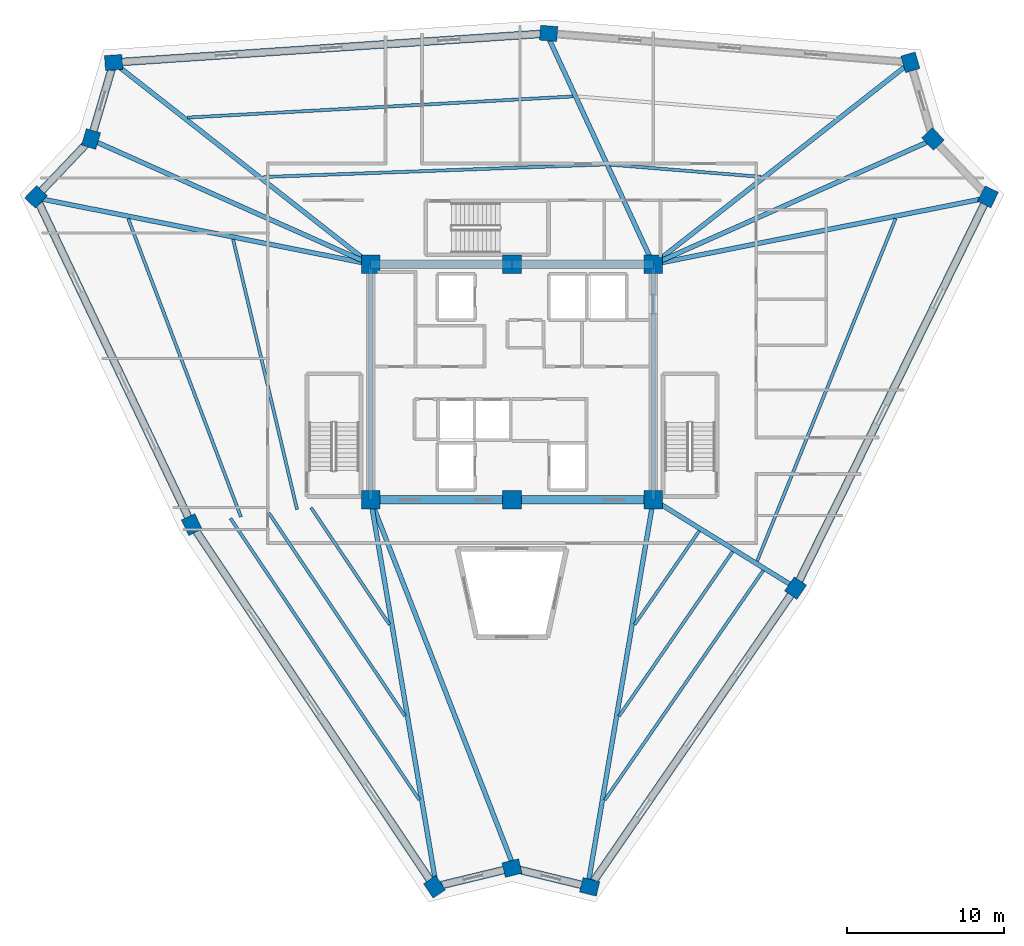
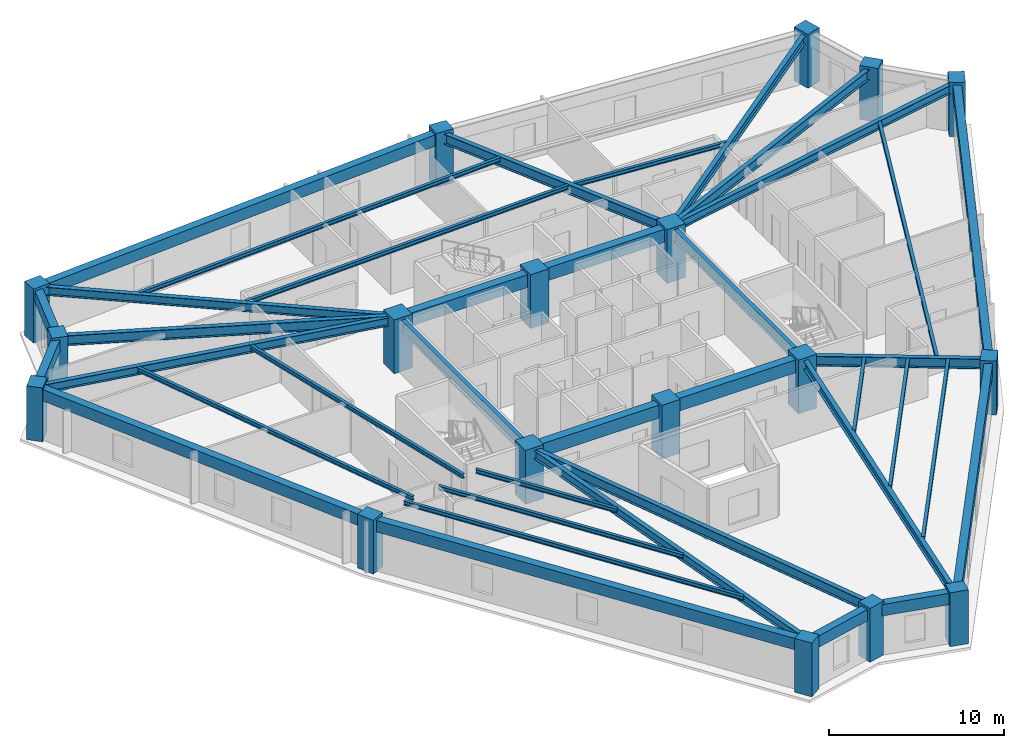
# One storey, part 1 of 8: 38 beams, 18 columns.
"""IFC4 building model written with IfcOpenShell, lengths in metres."""

from ifc_helpers import new_model, si_unit, direction, frame, origin, origin_2d, place, context, subcontext, project, spatial, rectangle, i_section, extrude, source, transform, mapped, material, material_profile, profile_set, type_object, element, save


model = new_model("IFC4")

# Units and contexts
model_context = context("Model", 3, precision=1e-05, world=origin(), true_north=direction((0.0, 1.0)))
body_context = subcontext(model_context, "Body", "Model", "MODEL_VIEW")
ifc_project = project(units=[si_unit("LENGTHUNIT", "METRE"), si_unit("AREAUNIT", "SQUARE_METRE"), si_unit("VOLUMEUNIT", "CUBIC_METRE"), si_unit("PLANEANGLEUNIT", "RADIAN"), si_unit("MASSUNIT", "GRAM", prefix="KILO")], contexts=[model_context])

# Site, building, storey
site_placement = place(None, origin())
site = spatial("IfcSite", under=ifc_project, at=site_placement, CompositionType="ELEMENT")
building_placement = place(site_placement, origin())
building = spatial("IfcBuilding", under=site, at=building_placement, Name="Liaohun Quay Tower", CompositionType="ELEMENT")
storey_placement = place(building_placement, frame((0.0, 0.0, 305.25)))
storey = spatial("IfcBuildingStorey", under=building, at=storey_placement, Name="L79", CompositionType="ELEMENT", Elevation=305.25)

# Columns
ifc_material_1 = material(Name="Concrete C50", Category="concrete")
ifc_material_profile_1 = material_profile(ifc_material_1, rectangle(XDim=1.199951171875, YDim=1.199951171875, at=origin_2d()), Name="RC1200x1200")
ifc_profile_set_1 = profile_set([ifc_material_profile_1], Name="Concrete C50")
column_type_1 = type_object("IfcColumnType", Name="COL-CC-Z4", PredefinedType="COLUMN", material=ifc_profile_set_1)
shared_shape_1 = source(origin(), body_context, "Body", "SweptSolid", [
    extrude(rectangle(XDim=1.199951171875, YDim=1.199951171875, at=origin_2d()), origin(), (0.0, 0.0, 1.0), 3.75),
])
for number, where, z_axis, x_axis, name in (
    (1, (51.0, 46.5, 0.0), (0.0, 0.0, 1.0), (1.0, 0.0, 0.0), "L79 Core Column CC1"),
    (2, (60.0, 46.5, 0.0), (0.0, 0.0, 1.0), (1.0, 0.0, 0.0), "L79 Core Column CC2"),
    (3, (69.0, 46.5, 0.0), (0.0, 0.0, 1.0), (1.0, 0.0, 0.0), "L79 Core Column CC3"),
    (4, (69.0, 61.5, 0.0), (0.0, 0.0, 1.0), (1.0, 0.0, 0.0), "L79 Core Column CC4"),
    (5, (60.0, 61.5, 0.0), (0.0, 0.0, 1.0), (1.0, 0.0, 0.0), "L79 Core Column CC5"),
    (6, (51.0, 61.5, 0.0), (0.0, 0.0, 1.0), (1.0, 0.0, 0.0), "L79 Core Column CC6"),
):
    element("IfcColumn", number, at=place(storey_placement, frame(where, z_axis=z_axis, x_axis=x_axis)), inside=storey, type_object=column_type_1, Name=name, PredefinedType="COLUMN", context=body_context, shape_type="MappedRepresentation", body=[
        mapped(shared_shape_1, transform((0.0, 0.0, 0.0), x_axis=(1.0, 0.0, 0.0), y_axis=(0.0, 1.0, 0.0), z_axis=(0.0, 0.0, 1.0), scale=1.0)),
    ])
ifc_material_profile_2 = material_profile(ifc_material_1, rectangle(XDim=1.10009765625, YDim=0.949951171875, at=origin_2d()), Name="RC1100x950")
ifc_profile_set_2 = profile_set([ifc_material_profile_2], Name="Concrete C50")
column_type_2 = type_object("IfcColumnType", Name="COL-PIER-Z4", PredefinedType="COLUMN", material=ifc_profile_set_2)
shared_shape_2 = source(origin(), body_context, "Body", "SweptSolid", [
    extrude(rectangle(XDim=1.10009765625, YDim=0.949951171875, at=origin_2d()), origin(), (0.0, 0.0, 1.0), 3.75),
])
for number, where, z_axis, x_axis, name in (
    (7, (55.06103515625, 21.846923828125, 0.0), (0.0, 0.0, 1.0), (-0.556585649903, 0.83079023485, 0.0), "L79 Perimeter Pier PC01"),
    (8, (39.60205078125, 44.9208984375, 0.0), (0.0, 0.0, 1.0), (-0.429250430767, 0.903185511225, 0.0), "L79 Perimeter Pier PC02"),
    (9, (29.679931640625, 65.79296875, 0.0), (0.0, 0.0, 1.0), (0.68936671806, 0.724412539946, 0.0), "L79 Perimeter Pier PC03"),
    (10, (33.18798828125, 69.47998046875, 0.0), (0.0, 0.0, 1.0), (0.282508884416, 0.959264682049, 0.0), "L79 Perimeter Pier PC04"),
    (11, (34.6240234375, 74.35302734375, 0.0), (0.0, 0.0, 1.0), (0.997778273548, 0.066622194773, 0.0), "L79 Perimeter Pier PC05"),
    (12, (62.3359375, 76.2060546875, 0.0), (0.0, 0.0, 1.0), (-0.996806812434, 0.079850977983, 0.0), "L79 Perimeter Pier PC06"),
    (13, (85.3740234375, 74.361083984375, 0.0), (0.0, 0.0, 1.0), (-0.282508884416, 0.959264682049, 0.0), "L79 Perimeter Pier PC07"),
    (14, (86.81201171875, 69.47998046875, 0.0), (0.0, 0.0, 1.0), (-0.68936671806, 0.724412539946, 0.0), "L79 Perimeter Pier PC08"),
    (15, (90.31396484375, 65.799072265625, 0.0), (0.0, 0.0, 1.0), (0.441192623644, 0.897412429623, 0.0), "L79 Perimeter Pier PC09"),
    (16, (78.06201171875, 40.8740234375, 0.0), (0.0, 0.0, 1.0), (0.567556381667, 0.823334533242, 0.0), "L79 Perimeter Pier PC10"),
    (17, (64.947021484375, 21.844970703125, 0.0), (0.0, 0.0, 1.0), (-0.972043021443, 0.234802820391, 0.0), "L79 Perimeter Pier PC11"),
    (18, (60.0, 23.0400390625, 0.0), (0.0, 0.0, 1.0), (0.972043021443, 0.234802820391, 0.0), "L79 Perimeter Pier PC12"),
):
    element("IfcColumn", number, at=place(storey_placement, frame(where, z_axis=z_axis, x_axis=x_axis)), inside=storey, type_object=column_type_2, Name=name, PredefinedType="COLUMN", context=body_context, shape_type="MappedRepresentation", body=[
        mapped(shared_shape_2, transform((0.0, 0.0, 0.0), x_axis=(1.0, 0.0, 0.0), y_axis=(0.0, 1.0, 0.0), z_axis=(0.0, 0.0, 1.0), scale=1.0)),
    ])

# Beams
ifc_material_2 = material(Name="Steel Q355D", Category="steel")
ifc_material_profile_3 = material_profile(ifc_material_2, i_section(OverallWidth=0.300048828125, OverallDepth=0.800048828125, WebThickness=0.013916015625, FlangeThickness=0.02587890625, at=origin_2d()), Name="HN800x300x14x26")
ifc_profile_set_3 = profile_set([ifc_material_profile_3], Name="Steel Q355D")
beam_type_1 = type_object("IfcBeamType", Name="BM-RAD-M1", PredefinedType="BEAM", material=ifc_profile_set_3)
shared_shape_3 = source(origin(), body_context, "Body", "SweptSolid", [
    extrude(i_section(OverallWidth=0.300048828125, OverallDepth=0.800048828125, WebThickness=0.013916015625, FlangeThickness=0.02587890625, at=origin_2d()), origin(), (0.0, 0.0, 1.0), 15.0),
])
for number, where, z_axis, x_axis, name in (
    (19, (69.0, 46.5, 3.169921875), (0.0, 1.0, 0.0), (-1.0, 0.0, 0.0), "L79 Core Coupling/Ring Beam CC3-CC4"),
    (20, (51.0, 61.5, 3.169921875), (0.0, -1.0, 0.0), (1.0, 0.0, 0.0), "L79 Core Coupling/Ring Beam CC6-CC1"),
):
    element("IfcBeam", number, at=place(storey_placement, frame(where, z_axis=z_axis, x_axis=x_axis)), inside=storey, type_object=beam_type_1, Name=name, PredefinedType="BEAM", context=body_context, shape_type="MappedRepresentation", body=[
        mapped(shared_shape_3, transform((0.0, 0.0, 0.0), x_axis=(1.0, 0.0, 0.0), y_axis=(0.0, 1.0, 0.0), z_axis=(0.0, 0.0, 1.0), scale=1.0)),
    ])
ifc_material_3 = material(Name="Concrete C55", Category="concrete")
ifc_material_profile_4 = material_profile(ifc_material_3, rectangle(XDim=0.550048828125, YDim=0.89990234375, at=origin_2d()), Name="RC550x900")
ifc_profile_set_4 = profile_set([ifc_material_profile_4], Name="Concrete C55")
beam_type_2 = type_object("IfcBeamType", Name="BM-CPL-2", PredefinedType="LINTEL", material=ifc_profile_set_4)
shared_shape_4 = source(origin(), body_context, "Body", "SweptSolid", [
    extrude(rectangle(XDim=0.550048828125, YDim=0.89990234375, at=origin_2d()), origin(), (0.0, 0.0, 1.0), 9.0),
])
for number, where, z_axis, x_axis, name in (
    (21, (51.0, 46.5, 3.1201171875), (1.0, 0.0, 0.0), (0.0, 1.0, 0.0), "L79 Core Coupling/Ring Beam CC1-CC2"),
    (22, (60.0, 46.5, 3.1201171875), (1.0, 0.0, 0.0), (0.0, 1.0, 0.0), "L79 Core Coupling/Ring Beam CC2-CC3"),
    (23, (69.0, 61.5, 3.1201171875), (-1.0, 0.0, 0.0), (0.0, -1.0, 0.0), "L79 Core Coupling/Ring Beam CC4-CC5"),
    (24, (60.0, 61.5, 3.1201171875), (-1.0, 0.0, 0.0), (0.0, -1.0, 0.0), "L79 Core Coupling/Ring Beam CC5-CC6"),
):
    element("IfcBeam", number, at=place(storey_placement, frame(where, z_axis=z_axis, x_axis=x_axis)), inside=storey, type_object=beam_type_2, Name=name, PredefinedType="LINTEL", context=body_context, shape_type="MappedRepresentation", body=[
        mapped(shared_shape_4, transform((0.0, 0.0, 0.0), x_axis=(1.0, 0.0, 0.0), y_axis=(0.0, 1.0, 0.0), z_axis=(0.0, 0.0, 1.0), scale=1.0)),
    ])
ifc_material_4 = material(Name="Precast concrete C50", Category="concrete")
ifc_material_profile_5 = material_profile(ifc_material_4, rectangle(XDim=0.5, YDim=0.800048828125, at=origin_2d()), Name="RC500x800")
ifc_profile_set_5 = profile_set([ifc_material_profile_5], Name="Precast concrete C50")
beam_type_3 = type_object("IfcBeamType", Name="BM-SPD-Z4", PredefinedType="SPANDREL", material=ifc_profile_set_5)
shared_shape_5 = source(origin(), body_context, "Body", "SweptSolid", [
    extrude(rectangle(XDim=0.5, YDim=0.800048828125, at=origin_2d()), origin(), (0.0, 0.0, 1.0), 27.77392578125),
])
beam_1_placement = place(storey_placement, frame((55.06103515625, 21.846923828125, 3.169921875), z_axis=(-0.556601506663, 0.830779611438, 0.0), x_axis=(-0.830779611438, -0.556601506663, 0.0)))
element("IfcBeam", 25, at=beam_1_placement, inside=storey, type_object=beam_type_3, Name="L79 Precast Spandrel Beam PC01-PC02", PredefinedType="SPANDREL", context=body_context, shape_type="MappedRepresentation", body=[
    mapped(shared_shape_5, transform((0.0, 0.0, 0.0), x_axis=(1.0, 0.0, 0.0), y_axis=(0.0, 1.0, 0.0), z_axis=(0.0, 0.0, 1.0), scale=1.0)),
])
shared_shape_6 = source(origin(), body_context, "Body", "SweptSolid", [
    extrude(rectangle(XDim=0.5, YDim=0.800048828125, at=origin_2d()), origin(), (0.0, 0.0, 1.0), 23.1103515625),
])
beam_2_placement = place(storey_placement, frame((39.60205078125, 44.9208984375, 3.169921875), z_axis=(-0.429335199183, 0.903145219078, 0.0), x_axis=(-0.903145219078, -0.429335199183, 0.0)))
element("IfcBeam", 26, at=beam_2_placement, inside=storey, type_object=beam_type_3, Name="L79 Precast Spandrel Beam PC02-PC03", PredefinedType="SPANDREL", context=body_context, shape_type="MappedRepresentation", body=[
    mapped(shared_shape_6, transform((0.0, 0.0, 0.0), x_axis=(1.0, 0.0, 0.0), y_axis=(0.0, 1.0, 0.0), z_axis=(0.0, 0.0, 1.0), scale=1.0)),
])
shared_shape_7 = source(origin(), body_context, "Body", "SweptSolid", [
    extrude(rectangle(XDim=0.5, YDim=0.800048828125, at=origin_2d()), origin(), (0.0, 0.0, 1.0), 5.08935546875),
])
for number, where, z_axis, x_axis, name in (
    (27, (29.679931640625, 65.79296875, 3.169921875), (0.689306512784, 0.724469827828, 0.0), (-0.724469827828, 0.689306512784, 0.0), "L79 Precast Spandrel Beam PC03-PC04"),
    (28, (64.947021484375, 21.844970703125, 3.169921875), (-0.972039179917, 0.234818723076, 0.0), (-0.234818723076, -0.972039179917, 0.0), "L79 Precast Spandrel Beam PC11-PC12"),
):
    element("IfcBeam", number, at=place(storey_placement, frame(where, z_axis=z_axis, x_axis=x_axis)), inside=storey, type_object=beam_type_3, Name=name, PredefinedType="SPANDREL", context=body_context, shape_type="MappedRepresentation", body=[
        mapped(shared_shape_7, transform((0.0, 0.0, 0.0), x_axis=(1.0, 0.0, 0.0), y_axis=(0.0, 1.0, 0.0), z_axis=(0.0, 0.0, 1.0), scale=1.0)),
    ])
shared_shape_8 = source(origin(), body_context, "Body", "SweptSolid", [
    extrude(rectangle(XDim=0.5, YDim=0.800048828125, at=origin_2d()), origin(), (0.0, 0.0, 1.0), 5.080322265625),
])
beam_3_placement = place(storey_placement, frame((33.18798828125, 69.47998046875, 3.169921875), z_axis=(0.282671036061, 0.959216912576, 0.0), x_axis=(-0.959216912576, 0.282671036061, 0.0)))
element("IfcBeam", 29, at=beam_3_placement, inside=storey, type_object=beam_type_3, Name="L79 Precast Spandrel Beam PC04-PC05", PredefinedType="SPANDREL", context=body_context, shape_type="MappedRepresentation", body=[
    mapped(shared_shape_8, transform((0.0, 0.0, 0.0), x_axis=(1.0, 0.0, 0.0), y_axis=(0.0, 1.0, 0.0), z_axis=(0.0, 0.0, 1.0), scale=1.0)),
])
shared_shape_9 = source(origin(), body_context, "Body", "SweptSolid", [
    extrude(rectangle(XDim=0.5, YDim=0.800048828125, at=origin_2d()), origin(), (0.0, 0.0, 1.0), 27.773681640625),
])
beam_4_placement = place(storey_placement, frame((34.6240234375, 74.35302734375, 3.169921875), z_axis=(0.997771835738, 0.066718541717, 0.0), x_axis=(-0.066718541717, 0.997771835738, 0.0)))
element("IfcBeam", 30, at=beam_4_placement, inside=storey, type_object=beam_type_3, Name="L79 Precast Spandrel Beam PC05-PC06", PredefinedType="SPANDREL", context=body_context, shape_type="MappedRepresentation", body=[
    mapped(shared_shape_9, transform((0.0, 0.0, 0.0), x_axis=(1.0, 0.0, 0.0), y_axis=(0.0, 1.0, 0.0), z_axis=(0.0, 0.0, 1.0), scale=1.0)),
])
shared_shape_10 = source(origin(), body_context, "Body", "SweptSolid", [
    extrude(rectangle(XDim=0.5, YDim=0.800048828125, at=origin_2d()), origin(), (0.0, 0.0, 1.0), 27.7734375),
])
beam_5_placement = place(storey_placement, frame((90.31396484375, 65.799072265625, 3.169921875), z_axis=(-0.441137929758, -0.897439316572, 0.0), x_axis=(0.897439316572, -0.441137929758, 0.0)))
element("IfcBeam", 31, at=beam_5_placement, inside=storey, type_object=beam_type_3, Name="L79 Precast Spandrel Beam PC09-PC10", PredefinedType="SPANDREL", context=body_context, shape_type="MappedRepresentation", body=[
    mapped(shared_shape_10, transform((0.0, 0.0, 0.0), x_axis=(1.0, 0.0, 0.0), y_axis=(0.0, 1.0, 0.0), z_axis=(0.0, 0.0, 1.0), scale=1.0)),
])
shared_shape_11 = source(origin(), body_context, "Body", "SweptSolid", [
    extrude(rectangle(XDim=0.5, YDim=0.800048828125, at=origin_2d()), origin(), (0.0, 0.0, 1.0), 23.11083984375),
])
beam_6_placement = place(storey_placement, frame((78.06201171875, 40.8740234375, 3.169921875), z_axis=(-0.567483847458, -0.823384529169, 0.0), x_axis=(0.823384529169, -0.567483847458, 0.0)))
element("IfcBeam", 32, at=beam_6_placement, inside=storey, type_object=beam_type_3, Name="L79 Precast Spandrel Beam PC10-PC11", PredefinedType="SPANDREL", context=body_context, shape_type="MappedRepresentation", body=[
    mapped(shared_shape_11, transform((0.0, 0.0, 0.0), x_axis=(1.0, 0.0, 0.0), y_axis=(0.0, 1.0, 0.0), z_axis=(0.0, 0.0, 1.0), scale=1.0)),
])
shared_shape_12 = source(origin(), body_context, "Body", "SweptSolid", [
    extrude(rectangle(XDim=0.5, YDim=0.800048828125, at=origin_2d()), origin(), (0.0, 0.0, 1.0), 5.0810546875),
])
beam_7_placement = place(storey_placement, frame((60.0, 23.0400390625, 3.169921875), z_axis=(-0.972039487889, -0.234817448211, 0.0), x_axis=(0.234817448211, -0.972039487889, 0.0)))
element("IfcBeam", 33, at=beam_7_placement, inside=storey, type_object=beam_type_3, Name="L79 Precast Spandrel Beam PC12-PC01", PredefinedType="SPANDREL", context=body_context, shape_type="MappedRepresentation", body=[
    mapped(shared_shape_12, transform((0.0, 0.0, 0.0), x_axis=(1.0, 0.0, 0.0), y_axis=(0.0, 1.0, 0.0), z_axis=(0.0, 0.0, 1.0), scale=1.0)),
])
ifc_material_profile_6 = material_profile(ifc_material_2, i_section(OverallWidth=0.300048828125, OverallDepth=0.587890625, WebThickness=0.011962890625, FlangeThickness=0.02001953125, at=origin_2d()), Name="HM588x300x12x20")
ifc_profile_set_6 = profile_set([ifc_material_profile_6], Name="Steel Q355D")
beam_type_4 = type_object("IfcBeamType", Name="BM-RAD-U2", PredefinedType="BEAM", material=ifc_profile_set_6)
shared_shape_13 = source(origin(), body_context, "Body", "SweptSolid", [
    extrude(i_section(OverallWidth=0.300048828125, OverallDepth=0.587890625, WebThickness=0.011962890625, FlangeThickness=0.02001953125, at=origin_2d()), origin(), (0.0, 0.0, 1.0), 24.61767578125),
])
beam_8_placement = place(storey_placement, frame((51.0, 46.5, 3.27587890625), z_axis=(0.167482720007, -0.985875011601, 0.0), x_axis=(0.985875011601, 0.167482720007, 0.0)))
element("IfcBeam", 34, at=beam_8_placement, inside=storey, type_object=beam_type_4, Name="L79 Radial Primary Girder CC1-PC01", PredefinedType="BEAM", context=body_context, shape_type="MappedRepresentation", body=[
    mapped(shared_shape_13, transform((0.0, 0.0, 0.0), x_axis=(1.0, 0.0, 0.0), y_axis=(0.0, 1.0, 0.0), z_axis=(0.0, 0.0, 1.0), scale=1.0)),
])
shared_shape_14 = source(origin(), body_context, "Body", "SweptSolid", [
    extrude(i_section(OverallWidth=0.300048828125, OverallDepth=0.587890625, WebThickness=0.011962890625, FlangeThickness=0.02001953125, at=origin_2d()), origin(), (0.0, 0.0, 1.0), 21.365966796875),
])
beam_9_placement = place(storey_placement, frame((51.0, 61.5, 3.27587890625), z_axis=(-0.980908469538, 0.194469983261, 0.0), x_axis=(-0.194469983261, -0.980908469538, 0.0)))
element("IfcBeam", 35, at=beam_9_placement, inside=storey, type_object=beam_type_4, Name="L79 Radial Primary Girder CC6-PC03", PredefinedType="BEAM", context=body_context, shape_type="MappedRepresentation", body=[
    mapped(shared_shape_14, transform((0.0, 0.0, 0.0), x_axis=(1.0, 0.0, 0.0), y_axis=(0.0, 1.0, 0.0), z_axis=(0.0, 0.0, 1.0), scale=1.0)),
])
ifc_material_profile_7 = material_profile(ifc_material_2, i_section(OverallWidth=0.300048828125, OverallDepth=0.699951171875, WebThickness=0.012939453125, FlangeThickness=0.02392578125, at=origin_2d()), Name="HN700x300x13x24")
ifc_profile_set_7 = profile_set([ifc_material_profile_7], Name="Steel Q355D")
beam_type_5 = type_object("IfcBeamType", Name="BM-RAD-U1", PredefinedType="BEAM", material=ifc_profile_set_7)
shared_shape_15 = source(origin(), body_context, "Body", "SweptSolid", [
    extrude(i_section(OverallWidth=0.300048828125, OverallDepth=0.699951171875, WebThickness=0.012939453125, FlangeThickness=0.02392578125, at=origin_2d()), origin(), (0.0, 0.0, 1.0), 19.1513671875),
])
for number, where, z_axis, x_axis, name in (
    (36, (51.0, 61.5, 3.219970703125), (-0.913398940203, 0.407065567244, 0.0), (-0.407065567244, -0.913398940203, 0.0), "L79 Radial Primary Girder CC6-PC04"),
    (37, (69.0, 61.5, 3.219970703125), (0.913398940203, 0.407065567244, 0.0), (-0.407065567244, 0.913398940203, 0.0), "L79 Radial Primary Girder CC4-PC08"),
):
    element("IfcBeam", number, at=place(storey_placement, frame(where, z_axis=z_axis, x_axis=x_axis)), inside=storey, type_object=beam_type_5, Name=name, PredefinedType="BEAM", context=body_context, shape_type="MappedRepresentation", body=[
        mapped(shared_shape_15, transform((0.0, 0.0, 0.0), x_axis=(1.0, 0.0, 0.0), y_axis=(0.0, 1.0, 0.0), z_axis=(0.0, 0.0, 1.0), scale=1.0)),
    ])
shared_shape_16 = source(origin(), body_context, "Body", "SweptSolid", [
    extrude(i_section(OverallWidth=0.300048828125, OverallDepth=0.587890625, WebThickness=0.011962890625, FlangeThickness=0.02001953125, at=origin_2d()), origin(), (0.0, 0.0, 1.0), 20.43017578125),
])
beam_10_placement = place(storey_placement, frame((51.0, 61.5, 3.27587890625), z_axis=(-0.786827701717, 0.617172721214, 0.0), x_axis=(-0.617172721214, -0.786827701717, 0.0)))
element("IfcBeam", 38, at=beam_10_placement, inside=storey, type_object=beam_type_4, Name="L79 Radial Primary Girder CC6-PC05", PredefinedType="BEAM", context=body_context, shape_type="MappedRepresentation", body=[
    mapped(shared_shape_16, transform((0.0, 0.0, 0.0), x_axis=(1.0, 0.0, 0.0), y_axis=(0.0, 1.0, 0.0), z_axis=(0.0, 0.0, 1.0), scale=1.0)),
])
shared_shape_17 = source(origin(), body_context, "Body", "SweptSolid", [
    extrude(i_section(OverallWidth=0.300048828125, OverallDepth=0.699951171875, WebThickness=0.012939453125, FlangeThickness=0.02392578125, at=origin_2d()), origin(), (0.0, 0.0, 1.0), 15.929443359375),
])
beam_11_placement = place(storey_placement, frame((69.0, 61.5, 3.219970703125), z_axis=(-0.420035684894, 0.907507588627, 0.0), x_axis=(-0.907507588627, -0.420035684894, 0.0)))
element("IfcBeam", 39, at=beam_11_placement, inside=storey, type_object=beam_type_5, Name="L79 Radial Primary Girder CC4-PC06", PredefinedType="BEAM", context=body_context, shape_type="MappedRepresentation", body=[
    mapped(shared_shape_17, transform((0.0, 0.0, 0.0), x_axis=(1.0, 0.0, 0.0), y_axis=(0.0, 1.0, 0.0), z_axis=(0.0, 0.0, 1.0), scale=1.0)),
])
shared_shape_18 = source(origin(), body_context, "Body", "SweptSolid", [
    extrude(i_section(OverallWidth=0.300048828125, OverallDepth=0.587890625, WebThickness=0.011962890625, FlangeThickness=0.02001953125, at=origin_2d()), origin(), (0.0, 0.0, 1.0), 20.43359375),
])
beam_12_placement = place(storey_placement, frame((69.0, 61.5, 3.27587890625), z_axis=(0.786599771307, 0.617463197105, 0.0), x_axis=(-0.617463197105, 0.786599771307, 0.0)))
element("IfcBeam", 40, at=beam_12_placement, inside=storey, type_object=beam_type_4, Name="L79 Radial Primary Girder CC4-PC07", PredefinedType="BEAM", context=body_context, shape_type="MappedRepresentation", body=[
    mapped(shared_shape_18, transform((0.0, 0.0, 0.0), x_axis=(1.0, 0.0, 0.0), y_axis=(0.0, 1.0, 0.0), z_axis=(0.0, 0.0, 1.0), scale=1.0)),
])
shared_shape_19 = source(origin(), body_context, "Body", "SweptSolid", [
    extrude(i_section(OverallWidth=0.300048828125, OverallDepth=0.587890625, WebThickness=0.011962890625, FlangeThickness=0.02001953125, at=origin_2d()), origin(), (0.0, 0.0, 1.0), 21.361083984375),
])
beam_13_placement = place(storey_placement, frame((69.0, 61.5, 3.27587890625), z_axis=(0.980845286904, 0.194788406119, 0.0), x_axis=(-0.194788406119, 0.980845286904, 0.0)))
element("IfcBeam", 41, at=beam_13_placement, inside=storey, type_object=beam_type_4, Name="L79 Radial Primary Girder CC4-PC09", PredefinedType="BEAM", context=body_context, shape_type="MappedRepresentation", body=[
    mapped(shared_shape_19, transform((0.0, 0.0, 0.0), x_axis=(1.0, 0.0, 0.0), y_axis=(0.0, 1.0, 0.0), z_axis=(0.0, 0.0, 1.0), scale=1.0)),
])
shared_shape_20 = source(origin(), body_context, "Body", "SweptSolid", [
    extrude(i_section(OverallWidth=0.300048828125, OverallDepth=0.699951171875, WebThickness=0.012939453125, FlangeThickness=0.02392578125, at=origin_2d()), origin(), (0.0, 0.0, 1.0), 10.416748046875),
])
beam_14_placement = place(storey_placement, frame((69.0, 46.5, 3.219970703125), z_axis=(0.850557211481, -0.525882524902, 0.0), x_axis=(0.525882524902, 0.850557211481, 0.0)))
element("IfcBeam", 42, at=beam_14_placement, inside=storey, type_object=beam_type_5, Name="L79 Radial Primary Girder CC3-PC10", PredefinedType="BEAM", context=body_context, shape_type="MappedRepresentation", body=[
    mapped(shared_shape_20, transform((0.0, 0.0, 0.0), x_axis=(1.0, 0.0, 0.0), y_axis=(0.0, 1.0, 0.0), z_axis=(0.0, 0.0, 1.0), scale=1.0)),
])
shared_shape_21 = source(origin(), body_context, "Body", "SweptSolid", [
    extrude(i_section(OverallWidth=0.300048828125, OverallDepth=0.587890625, WebThickness=0.011962890625, FlangeThickness=0.02001953125, at=origin_2d()), origin(), (0.0, 0.0, 1.0), 24.618408203125),
])
beam_15_placement = place(storey_placement, frame((69.0, 46.5, 3.27587890625), z_axis=(-0.167151528677, -0.985931217916, 0.0), x_axis=(0.985931217916, -0.167151528677, 0.0)))
element("IfcBeam", 43, at=beam_15_placement, inside=storey, type_object=beam_type_4, Name="L79 Radial Primary Girder CC3-PC11", PredefinedType="BEAM", context=body_context, shape_type="MappedRepresentation", body=[
    mapped(shared_shape_21, transform((0.0, 0.0, 0.0), x_axis=(1.0, 0.0, 0.0), y_axis=(0.0, 1.0, 0.0), z_axis=(0.0, 0.0, 1.0), scale=1.0)),
])
shared_shape_22 = source(origin(), body_context, "Body", "SweptSolid", [
    extrude(i_section(OverallWidth=0.300048828125, OverallDepth=0.699951171875, WebThickness=0.012939453125, FlangeThickness=0.02392578125, at=origin_2d()), origin(), (0.0, 0.0, 1.0), 24.783935546875),
])
beam_16_placement = place(storey_placement, frame((51.0, 46.5, 3.219970703125), z_axis=(0.363138778468, -0.931735062973, 0.0), x_axis=(0.931735062973, 0.363138778468, 0.0)))
element("IfcBeam", 44, at=beam_16_placement, inside=storey, type_object=beam_type_5, Name="L79 Radial Primary Girder CC1-PC12", PredefinedType="BEAM", context=body_context, shape_type="MappedRepresentation", body=[
    mapped(shared_shape_22, transform((0.0, 0.0, 0.0), x_axis=(1.0, 0.0, 0.0), y_axis=(0.0, 1.0, 0.0), z_axis=(0.0, 0.0, 1.0), scale=1.0)),
])
ifc_material_profile_8 = material_profile(ifc_material_2, i_section(OverallWidth=0.199951171875, OverallDepth=0.2939453125, WebThickness=0.008056640625, FlangeThickness=0.011962890625, at=origin_2d()), Name="HM294x200x8x12")
ifc_profile_set_8 = profile_set([ifc_material_profile_8], Name="Steel Q355D")
beam_type_6 = type_object("IfcBeamType", Name="BM-SEC-J4", PredefinedType="JOIST", material=ifc_profile_set_8)
shared_shape_23 = source(origin(), body_context, "Body", "SweptSolid", [
    extrude(i_section(OverallWidth=0.199951171875, OverallDepth=0.2939453125, WebThickness=0.008056640625, FlangeThickness=0.011962890625, at=origin_2d()), origin(), (0.0, 0.0, 1.0), 8.965576171875),
])
beam_17_placement = place(storey_placement, frame((52.197998046875, 38.552001953125, 3.423095703125), z_axis=(-0.557148590197, 0.830412818086, 0.0), x_axis=(-0.830412818086, -0.557148590197, 0.0)))
element("IfcBeam", 45, at=beam_17_placement, inside=storey, type_object=beam_type_6, Name="L79 Wing Secondary Floor Joist SJ-01", PredefinedType="JOIST", context=body_context, shape_type="MappedRepresentation", body=[
    mapped(shared_shape_23, transform((0.0, 0.0, 0.0), x_axis=(1.0, 0.0, 0.0), y_axis=(0.0, 1.0, 0.0), z_axis=(0.0, 0.0, 1.0), scale=1.0)),
])
shared_shape_24 = source(origin(), body_context, "Body", "SweptSolid", [
    extrude(i_section(OverallWidth=0.199951171875, OverallDepth=0.2939453125, WebThickness=0.008056640625, FlangeThickness=0.011962890625, at=origin_2d()), origin(), (0.0, 0.0, 1.0), 15.553955078125),
])
beam_18_placement = place(storey_placement, frame((53.18798828125, 32.72705078125, 3.423095703125), z_axis=(-0.557160899617, 0.830404559199, 0.0), x_axis=(-0.830404559199, -0.557160899617, 0.0)))
element("IfcBeam", 46, at=beam_18_placement, inside=storey, type_object=beam_type_6, Name="L79 Wing Secondary Floor Joist SJ-02", PredefinedType="JOIST", context=body_context, shape_type="MappedRepresentation", body=[
    mapped(shared_shape_24, transform((0.0, 0.0, 0.0), x_axis=(1.0, 0.0, 0.0), y_axis=(0.0, 1.0, 0.0), z_axis=(0.0, 0.0, 1.0), scale=1.0)),
])
shared_shape_25 = source(origin(), body_context, "Body", "SweptSolid", [
    extrude(i_section(OverallWidth=0.199951171875, OverallDepth=0.2939453125, WebThickness=0.008056640625, FlangeThickness=0.011962890625, at=origin_2d()), origin(), (0.0, 0.0, 1.0), 21.592041015625),
])
beam_19_placement = place(storey_placement, frame((54.094970703125, 27.387939453125, 3.423095703125), z_axis=(-0.557153142682, 0.830409763671, 0.0), x_axis=(-0.830409763671, -0.557153142682, 0.0)))
element("IfcBeam", 47, at=beam_19_placement, inside=storey, type_object=beam_type_6, Name="L79 Wing Secondary Floor Joist SJ-03", PredefinedType="JOIST", context=body_context, shape_type="MappedRepresentation", body=[
    mapped(shared_shape_25, transform((0.0, 0.0, 0.0), x_axis=(1.0, 0.0, 0.0), y_axis=(0.0, 1.0, 0.0), z_axis=(0.0, 0.0, 1.0), scale=1.0)),
])
shared_shape_26 = source(origin(), body_context, "Body", "SweptSolid", [
    extrude(i_section(OverallWidth=0.199951171875, OverallDepth=0.2939453125, WebThickness=0.008056640625, FlangeThickness=0.011962890625, at=origin_2d()), origin(), (0.0, 0.0, 1.0), 17.681640625),
])
beam_20_placement = place(storey_placement, frame((46.30908203125, 45.87890625, 3.423095703125), z_axis=(-0.230352842773, 0.973107171809, 0.0), x_axis=(-0.973107171809, -0.230352842773, 0.0)))
element("IfcBeam", 48, at=beam_20_placement, inside=storey, type_object=beam_type_6, Name="L79 Wing Secondary Floor Joist SJ-04", PredefinedType="JOIST", context=body_context, shape_type="MappedRepresentation", body=[
    mapped(shared_shape_26, transform((0.0, 0.0, 0.0), x_axis=(1.0, 0.0, 0.0), y_axis=(0.0, 1.0, 0.0), z_axis=(0.0, 0.0, 1.0), scale=1.0)),
])
shared_shape_27 = source(origin(), body_context, "Body", "SweptSolid", [
    extrude(i_section(OverallWidth=0.199951171875, OverallDepth=0.2939453125, WebThickness=0.008056640625, FlangeThickness=0.011962890625, at=origin_2d()), origin(), (0.0, 0.0, 1.0), 20.314453125),
])
beam_21_placement = place(storey_placement, frame((42.735107421875, 45.406005859375, 3.423095703125), z_axis=(-0.353498258709, 0.935435182731, 0.0), x_axis=(-0.935435182731, -0.353498258709, 0.0)))
element("IfcBeam", 49, at=beam_21_placement, inside=storey, type_object=beam_type_6, Name="L79 Wing Secondary Floor Joist SJ-05", PredefinedType="JOIST", context=body_context, shape_type="MappedRepresentation", body=[
    mapped(shared_shape_27, transform((0.0, 0.0, 0.0), x_axis=(1.0, 0.0, 0.0), y_axis=(0.0, 1.0, 0.0), z_axis=(0.0, 0.0, 1.0), scale=1.0)),
])
shared_shape_28 = source(origin(), body_context, "Body", "SweptSolid", [
    extrude(i_section(OverallWidth=0.199951171875, OverallDepth=0.2939453125, WebThickness=0.008056640625, FlangeThickness=0.011962890625, at=origin_2d()), origin(), (0.0, 0.0, 1.0), 21.748779296875),
])
beam_22_placement = place(storey_placement, frame((44.158935546875, 67.055908203125, 3.423095703125), z_axis=(0.999324823136, 0.036740956226, 0.0), x_axis=(-0.036740956226, 0.999324823136, 0.0)))
element("IfcBeam", 50, at=beam_22_placement, inside=storey, type_object=beam_type_6, Name="L79 Wing Secondary Floor Joist SJ-06", PredefinedType="JOIST", context=body_context, shape_type="MappedRepresentation", body=[
    mapped(shared_shape_28, transform((0.0, 0.0, 0.0), x_axis=(1.0, 0.0, 0.0), y_axis=(0.0, 1.0, 0.0), z_axis=(0.0, 0.0, 1.0), scale=1.0)),
])
shared_shape_29 = source(origin(), body_context, "Body", "SweptSolid", [
    extrude(i_section(OverallWidth=0.199951171875, OverallDepth=0.2939453125, WebThickness=0.008056640625, FlangeThickness=0.011962890625, at=origin_2d()), origin(), (0.0, 0.0, 1.0), 24.591796875),
])
beam_23_placement = place(storey_placement, frame((39.33203125, 70.843017578125, 3.423095703125), z_axis=(0.998501104565, 0.054731564766, 0.0), x_axis=(-0.054731564766, 0.998501104565, 0.0)))
element("IfcBeam", 51, at=beam_23_placement, inside=storey, type_object=beam_type_6, Name="L79 Wing Secondary Floor Joist SJ-07", PredefinedType="JOIST", context=body_context, shape_type="MappedRepresentation", body=[
    mapped(shared_shape_29, transform((0.0, 0.0, 0.0), x_axis=(1.0, 0.0, 0.0), y_axis=(0.0, 1.0, 0.0), z_axis=(0.0, 0.0, 1.0), scale=1.0)),
])
shared_shape_30 = source(origin(), body_context, "Body", "SweptSolid", [
    extrude(i_section(OverallWidth=0.199951171875, OverallDepth=0.2939453125, WebThickness=0.008056640625, FlangeThickness=0.011962890625, at=origin_2d()), origin(), (0.0, 0.0, 1.0), 9.655517578125),
])
beam_24_placement = place(storey_placement, frame((66.22802734375, 67.846923828125, 3.423095703125), z_axis=(0.996749823222, -0.080559232288, 0.0), x_axis=(0.080559232288, 0.996749823222, 0.0)))
element("IfcBeam", 52, at=beam_24_placement, inside=storey, type_object=beam_type_6, Name="L79 Wing Secondary Floor Joist SJ-08", PredefinedType="JOIST", context=body_context, shape_type="MappedRepresentation", body=[
    mapped(shared_shape_30, transform((0.0, 0.0, 0.0), x_axis=(1.0, 0.0, 0.0), y_axis=(0.0, 1.0, 0.0), z_axis=(0.0, 0.0, 1.0), scale=1.0)),
])
shared_shape_31 = source(origin(), body_context, "Body", "SweptSolid", [
    extrude(i_section(OverallWidth=0.199951171875, OverallDepth=0.2939453125, WebThickness=0.008056640625, FlangeThickness=0.011962890625, at=origin_2d()), origin(), (0.0, 0.0, 1.0), 23.54248046875),
])
beam_25_placement = place(storey_placement, frame((84.43701171875, 64.4130859375, 3.423095703125), z_axis=(-0.374812123102, -0.927100788682, 0.0), x_axis=(0.927100788682, -0.374812123102, 0.0)))
element("IfcBeam", 53, at=beam_25_placement, inside=storey, type_object=beam_type_6, Name="L79 Wing Secondary Floor Joist SJ-11", PredefinedType="JOIST", context=body_context, shape_type="MappedRepresentation", body=[
    mapped(shared_shape_31, transform((0.0, 0.0, 0.0), x_axis=(1.0, 0.0, 0.0), y_axis=(0.0, 1.0, 0.0), z_axis=(0.0, 0.0, 1.0), scale=1.0)),
])
shared_shape_32 = source(origin(), body_context, "Body", "SweptSolid", [
    extrude(i_section(OverallWidth=0.199951171875, OverallDepth=0.2939453125, WebThickness=0.008056640625, FlangeThickness=0.011962890625, at=origin_2d()), origin(), (0.0, 0.0, 1.0), 7.259033203125),
])
beam_26_placement = place(storey_placement, frame((71.927001953125, 44.513916015625, 3.423095703125), z_axis=(-0.568116426812, -0.822948191313, 0.0), x_axis=(0.822948191313, -0.568116426812, 0.0)))
element("IfcBeam", 54, at=beam_26_placement, inside=storey, type_object=beam_type_6, Name="L79 Wing Secondary Floor Joist SJ-12", PredefinedType="JOIST", context=body_context, shape_type="MappedRepresentation", body=[
    mapped(shared_shape_32, transform((0.0, 0.0, 0.0), x_axis=(1.0, 0.0, 0.0), y_axis=(0.0, 1.0, 0.0), z_axis=(0.0, 0.0, 1.0), scale=1.0)),
])
shared_shape_33 = source(origin(), body_context, "Body", "SweptSolid", [
    extrude(i_section(OverallWidth=0.199951171875, OverallDepth=0.2939453125, WebThickness=0.008056640625, FlangeThickness=0.011962890625, at=origin_2d()), origin(), (0.0, 0.0, 1.0), 12.740478515625),
])
beam_27_placement = place(storey_placement, frame((74.052978515625, 43.198974609375, 3.423095703125), z_axis=(-0.568110386388, -0.822952361245, 0.0), x_axis=(0.822952361245, -0.568110386388, 0.0)))
element("IfcBeam", 55, at=beam_27_placement, inside=storey, type_object=beam_type_6, Name="L79 Wing Secondary Floor Joist SJ-13", PredefinedType="JOIST", context=body_context, shape_type="MappedRepresentation", body=[
    mapped(shared_shape_33, transform((0.0, 0.0, 0.0), x_axis=(1.0, 0.0, 0.0), y_axis=(0.0, 1.0, 0.0), z_axis=(0.0, 0.0, 1.0), scale=1.0)),
])
shared_shape_34 = source(origin(), body_context, "Body", "SweptSolid", [
    extrude(i_section(OverallWidth=0.199951171875, OverallDepth=0.2939453125, WebThickness=0.008056640625, FlangeThickness=0.011962890625, at=origin_2d()), origin(), (0.0, 0.0, 1.0), 17.7646484375),
])
beam_28_placement = place(storey_placement, frame((76.0029296875, 41.993896484375, 3.423095703125), z_axis=(-0.568153269859, -0.82292275576, 0.0), x_axis=(0.82292275576, -0.568153269859, 0.0)))
element("IfcBeam", 56, at=beam_28_placement, inside=storey, type_object=beam_type_6, Name="L79 Wing Secondary Floor Joist SJ-14", PredefinedType="JOIST", context=body_context, shape_type="MappedRepresentation", body=[
    mapped(shared_shape_34, transform((0.0, 0.0, 0.0), x_axis=(1.0, 0.0, 0.0), y_axis=(0.0, 1.0, 0.0), z_axis=(0.0, 0.0, 1.0), scale=1.0)),
])

save(model, "model.ifc")
